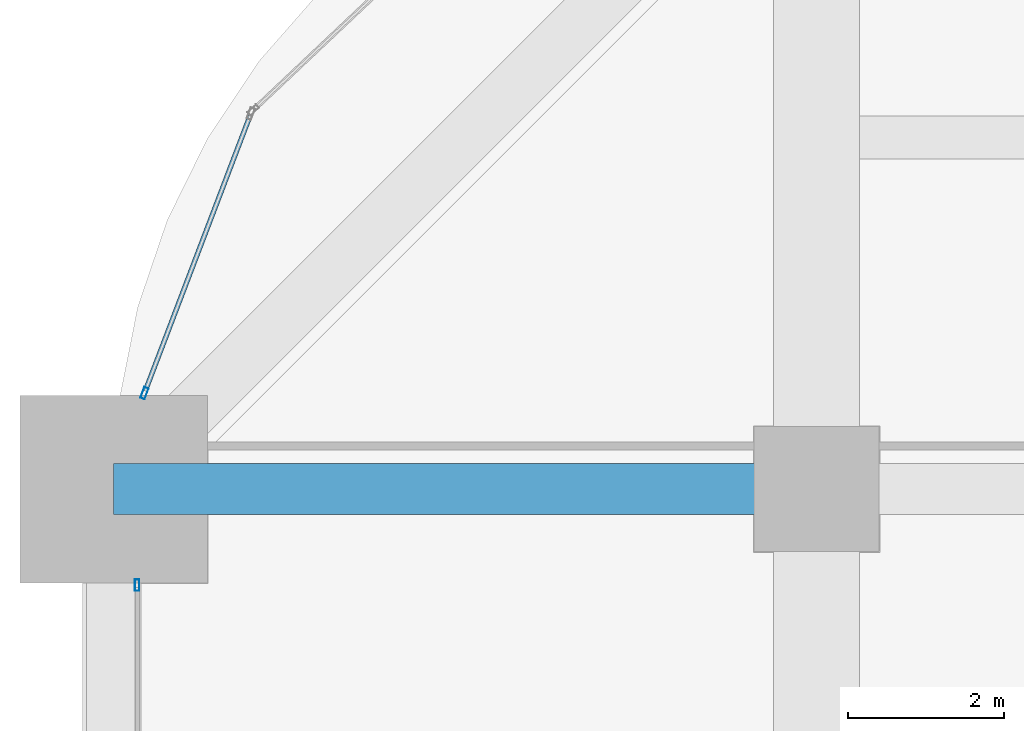
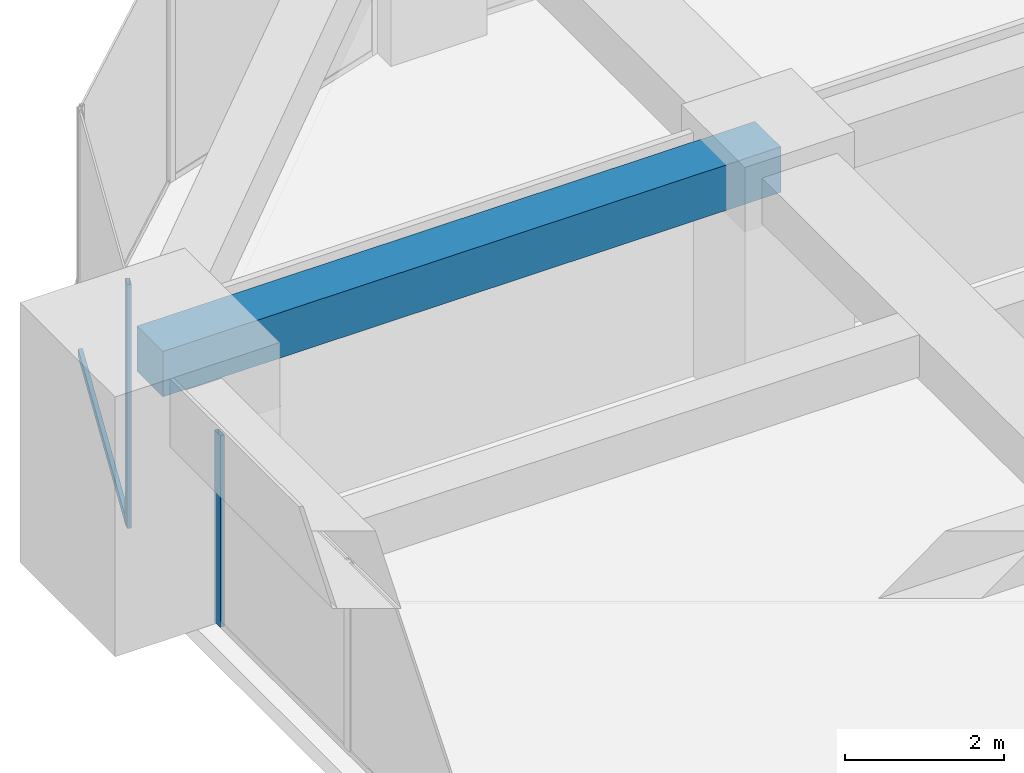
# One storey, part 20 of 32: 3 members, 1 beam, 2 elements without a shape of their own.
"""IFC4 building model written with IfcOpenShell, lengths in metres."""

from ifc_helpers import new_model, si_unit, direction, frame, origin, origin_2d, place, context, subcontext, project, spatial, rectangle, hollow_rectangle, extrude, material, material_profile, profile_set, type_object, element, aggregate, save


model = new_model("IFC4")

# Units and contexts
model_context = context("Model", 3, precision=1e-05, world=origin(), true_north=direction((0.0, 1.0)))
body_context = subcontext(model_context, "Body", "Model", "MODEL_VIEW")
ifc_project = project(units=[si_unit("LENGTHUNIT", "METRE"), si_unit("AREAUNIT", "SQUARE_METRE"), si_unit("VOLUMEUNIT", "CUBIC_METRE"), si_unit("PLANEANGLEUNIT", "RADIAN"), si_unit("MASSUNIT", "GRAM", prefix="KILO")], contexts=[model_context])

# Site, building, storey
site_placement = place(None, origin())
site = spatial("IfcSite", under=ifc_project, at=site_placement, CompositionType="ELEMENT")
building_placement = place(site_placement, origin())
building = spatial("IfcBuilding", under=site, at=building_placement, Name="Zorevar Civic Tower", CompositionType="ELEMENT")
storey_placement = place(building_placement, frame((0.0, 0.0, 182.199951171875)))
storey = spatial("IfcBuildingStorey", under=building, at=storey_placement, Name="L44", CompositionType="ELEMENT", Elevation=182.199951171875)

# Beam
ifc_material_1 = material(Name="Concrete C50/60", Category="concrete")
ifc_material_profile_1 = material_profile(ifc_material_1, rectangle(XDim=0.64990234375, YDim=0.699951171875, at=origin_2d()), Name="RC 650x700")
ifc_profile_set_1 = profile_set([ifc_material_profile_1], Name="Concrete C50/60")
beam_type = type_object("IfcBeamType", Name="Beam RC 650x700", PredefinedType="BEAM", material=ifc_profile_set_1)
beam_placement = place(storey_placement, frame((0.0, 36.0, 3.400146484375), z_axis=(1.0, 0.0, 0.0), x_axis=(0.0, 1.0, 0.0)))
element("IfcBeam", 1, at=beam_placement, inside=storey, type_object=beam_type, Name="Girder L45", PredefinedType="BEAM", context=body_context, shape_type="SweptSolid", body=[
    extrude(rectangle(XDim=0.64990234375, YDim=0.699951171875, at=origin_2d()), origin(), (0.0, 0.0, 1.0), 9.0),
])

# Curtain wall, member
ifc_material_2 = material(Name="Dark grey solar-control glass in black aluminium frame", Category="aluminium")
curtain_wall_type = type_object("IfcCurtainWallType", Name="Curtain wall CW4 high zone", PredefinedType="NOTDEFINED", material=ifc_material_2)
curtain_wall_1_placement = place(storey_placement, origin())
curtain_wall_1 = element("IfcCurtainWall", 2, at=curtain_wall_1_placement, inside=storey, type_object=curtain_wall_type, Name="CW4 L44", PredefinedType="NOTDEFINED")
ifc_material_3 = material(Name="Aluminium, black anodised", Category="aluminium")
ifc_material_profile_2 = material_profile(ifc_material_3, hollow_rectangle(XDim=0.06005859375, YDim=0.14990234375, WallThickness=0.00390625, at=origin_2d()), Name="AL 150x60x4")
ifc_profile_set_2 = profile_set([ifc_material_profile_2], Name="Aluminium, black anodised")
member_type_1 = type_object("IfcMemberType", Name="CW4 mullion AL 150x60x4", PredefinedType="MULLION", material=ifc_profile_set_2)
member_1_placement = place(storey_placement, frame((0.300048828125, 34.77001953125, 0.0), z_axis=(0.0, 0.0, 1.0), x_axis=(-1.0, 0.0, 0.0)))
member_1 = element("IfcMember", 3, at=member_1_placement, type_object=member_type_1, Name="CW4 mullion 3", PredefinedType="MULLION", context=body_context, shape_type="SweptSolid", body=[
    extrude(hollow_rectangle(XDim=0.06005859375, YDim=0.14990234375, WallThickness=0.00390625, at=origin_2d()), origin(), (0.0, 0.0, 1.0), 2.949951171875),
])
aggregate(curtain_wall_1, [member_1])

# Curtain wall, members
curtain_wall_2_placement = place(storey_placement, origin())
curtain_wall_2 = element("IfcCurtainWall", 4, at=curtain_wall_2_placement, inside=storey, type_object=curtain_wall_type, Name="CW4 L44", PredefinedType="NOTDEFINED")
member_2_placement = place(storey_placement, frame((0.393798828125, 37.22802734375, 0.0), z_axis=(0.0, 0.0, 1.0), x_axis=(0.93458842801, -0.355730895803, 0.0)))
member_2 = element("IfcMember", 5, at=member_2_placement, type_object=member_type_1, Name="CW4 mullion 2", PredefinedType="MULLION", context=body_context, shape_type="SweptSolid", body=[
    extrude(hollow_rectangle(XDim=0.06005859375, YDim=0.14990234375, WallThickness=0.00390625, at=origin_2d()), origin(), (0.0, 0.0, 1.0), 3.75),
])
ifc_material_4 = material(Name="Aluminium, black anodised", Category="aluminium")
ifc_material_profile_3 = material_profile(ifc_material_4, hollow_rectangle(XDim=0.06005859375, YDim=0.1201171875, WallThickness=0.0029296875, at=origin_2d()), Name="AL 120x60x3")
ifc_profile_set_3 = profile_set([ifc_material_profile_3], Name="Aluminium, black anodised")
member_type_2 = type_object("IfcMemberType", Name="CW4 transom AL 120x60x3", PredefinedType="USERDEFINED", material=ifc_profile_set_3)
member_3_placement = place(storey_placement, frame((1.74462890625, 40.77685546875, 0.030029296875), z_axis=(-0.355728511406, -0.934589335576, 0.0), x_axis=(0.934589335576, -0.355728511406, 0.0)))
member_3 = element("IfcMember", 6, at=member_3_placement, type_object=member_type_2, Name="CW4 sill transom", ObjectType="TRANSOM", PredefinedType="USERDEFINED", context=body_context, shape_type="SweptSolid", body=[
    extrude(hollow_rectangle(XDim=0.06005859375, YDim=0.1201171875, WallThickness=0.0029296875, at=origin_2d()), origin(), (0.0, 0.0, 1.0), 3.76708984375),
])
aggregate(curtain_wall_2, [member_2, member_3])

save(model, "model.ifc")
